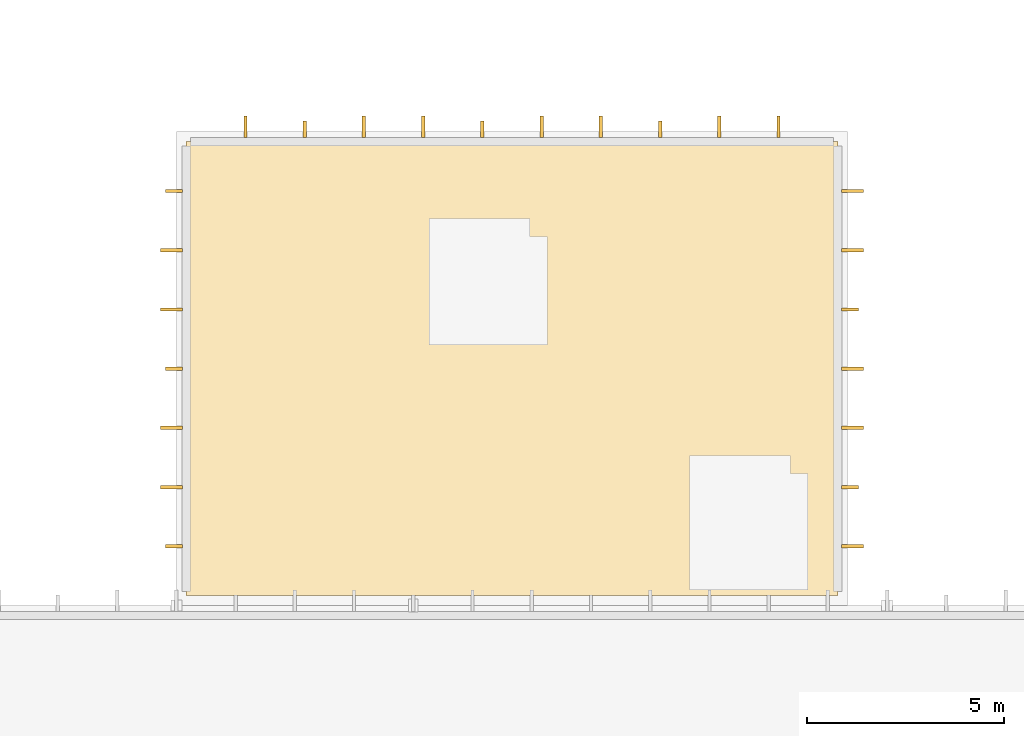
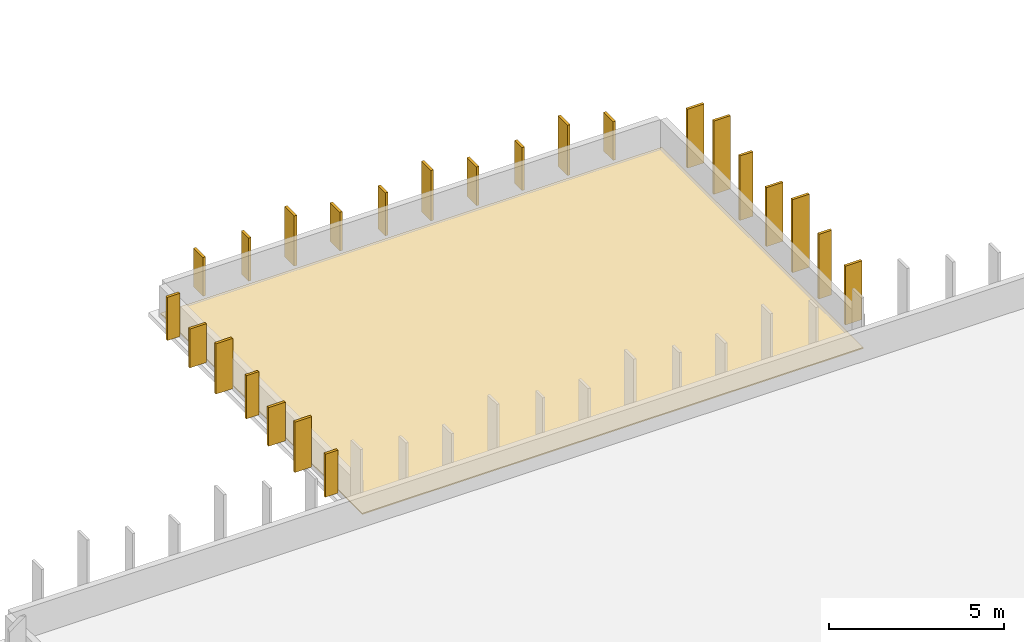
# One storey, part 24 of 27: 25 coverings.
"""IFC4 building model written with IfcOpenShell, lengths in metres."""

from ifc_helpers import new_model, si_unit, direction, frame, origin, origin_2d, place, context, subcontext, project, spatial, polyline, rectangle, outline, extrude, material, layer, layer_set, type_object, element, save


model = new_model("IFC4")

# Units and contexts
model_context = context("Model", 3, precision=1e-05, world=origin(), true_north=direction((0.0, 1.0)))
body_context = subcontext(model_context, "Body", "Model", "MODEL_VIEW")
ifc_project = project(units=[si_unit("LENGTHUNIT", "METRE"), si_unit("AREAUNIT", "SQUARE_METRE"), si_unit("VOLUMEUNIT", "CUBIC_METRE"), si_unit("PLANEANGLEUNIT", "RADIAN"), si_unit("MASSUNIT", "GRAM", prefix="KILO")], contexts=[model_context])

# Site, building, storey
site_placement = place(None, origin())
site = spatial("IfcSite", under=ifc_project, at=site_placement, CompositionType="ELEMENT")
building_placement = place(site_placement, origin())
building = spatial("IfcBuilding", under=site, at=building_placement, Name="Varnakota Square Police Headquarters", CompositionType="ELEMENT")
storey_placement = place(building_placement, frame((0.0, 0.0, 26.10009765625)))
storey = spatial("IfcBuildingStorey", under=building, at=storey_placement, Name="L06", CompositionType="ELEMENT", Elevation=26.10009765625)

# Coverings
ifc_material_1 = material(Name="White Anodised Aluminium Vertical Facade Blade 420", Category="aluminium")
ifc_layer_1 = layer(ifc_material_1, 0.0849609375, Name="White Anodised Aluminium Vertical Facade Blade 420")
ifc_layer_set_1 = layer_set([ifc_layer_1], Name="White Anodised Aluminium Vertical Facade Blade 420")
covering_type_1 = type_object("IfcCoveringType", Name="COV-FIN-420", PredefinedType="CLADDING", material=ifc_layer_set_1)
for number, where, z_axis, x_axis, name in (
    (1, (35.06005859375, 66.0, 0.0498046875), (0.0, 0.0, 1.0), (0.0, 1.0, 0.0), "Vertical aluminium facade fin FIN-1542"),
    (2, (35.06005859375, 70.5, 0.0498046875), (0.0, 0.0, 1.0), (0.0, 1.0, 0.0), "Vertical aluminium facade fin FIN-1545"),
):
    element("IfcCovering", number, at=place(storey_placement, frame(where, z_axis=z_axis, x_axis=x_axis)), inside=storey, type_object=covering_type_1, Name=name, PredefinedType="CLADDING", context=body_context, shape_type="SweptSolid", body=[
        extrude(rectangle(XDim=0.0849609375, YDim=0.419921875, at=origin_2d()), origin(), (0.0, 0.0, 1.0), 2.25),
    ])
for number, where, z_axis, x_axis, name in (
    (3, (30.25, 75.06005859375, 0.0498046875), (0.0, 0.0, 1.0), (-1.0, 0.0, 0.0), "Vertical aluminium facade fin FIN-1550"),
    (4, (25.75, 75.06005859375, 0.0498046875), (0.0, 0.0, 1.0), (-1.0, 0.0, 0.0), "Vertical aluminium facade fin FIN-1553"),
    (5, (21.25, 75.06005859375, 0.0498046875), (0.0, 0.0, 1.0), (-1.0, 0.0, 0.0), "Vertical aluminium facade fin FIN-1556"),
    (6, (17.93994140625, 73.5, 0.0498046875), (0.0, 0.0, 1.0), (0.0, -1.0, 0.0), "Vertical aluminium facade fin FIN-1558"),
    (7, (17.93994140625, 69.0, 0.0498046875), (0.0, 0.0, 1.0), (0.0, -1.0, 0.0), "Vertical aluminium facade fin FIN-1561"),
    (8, (17.93994140625, 64.5, 0.0498046875), (0.0, 0.0, 1.0), (0.0, -1.0, 0.0), "Vertical aluminium facade fin FIN-1564"),
):
    element("IfcCovering", number, at=place(storey_placement, frame(where, z_axis=z_axis, x_axis=x_axis)), inside=storey, type_object=covering_type_1, Name=name, PredefinedType="CLADDING", context=body_context, shape_type="SweptSolid", body=[
        extrude(rectangle(XDim=0.0849609375, YDim=0.419921875, at=origin_2d()), origin(), (0.0, 0.0, 1.0), 1.5),
    ])
ifc_material_2 = material(Name="White Anodised Aluminium Vertical Facade Blade 550", Category="aluminium")
ifc_layer_2 = layer(ifc_material_2, 0.0849609375, Name="White Anodised Aluminium Vertical Facade Blade 550")
ifc_layer_set_2 = layer_set([ifc_layer_2], Name="White Anodised Aluminium Vertical Facade Blade 550")
covering_type_2 = type_object("IfcCoveringType", Name="COV-FIN-550", PredefinedType="CLADDING", material=ifc_layer_set_2)
covering_1_placement = place(storey_placement, frame((35.125, 64.5, 0.0498046875), z_axis=(0.0, 0.0, 1.0), x_axis=(0.0, 1.0, 0.0)))
element("IfcCovering", 9, at=covering_1_placement, inside=storey, type_object=covering_type_2, Name="Vertical aluminium facade fin FIN-1541", PredefinedType="CLADDING", context=body_context, shape_type="SweptSolid", body=[
    extrude(rectangle(XDim=0.0849609375, YDim=0.550048828125, at=origin_2d()), origin(), (0.0, 0.0, 1.0), 2.050048828125),
])
covering_2_placement = place(storey_placement, frame((35.125, 67.5, 0.0498046875), z_axis=(0.0, 0.0, 1.0), x_axis=(0.0, 1.0, 0.0)))
element("IfcCovering", 10, at=covering_2_placement, inside=storey, type_object=covering_type_2, Name="Vertical aluminium facade fin FIN-1543", PredefinedType="CLADDING", context=body_context, shape_type="SweptSolid", body=[
    extrude(rectangle(XDim=0.0849609375, YDim=0.550048828125, at=origin_2d()), origin(), (0.0, 0.0, 1.0), 2.550048828125),
])
covering_3_placement = place(storey_placement, frame((35.125, 69.0, 0.0498046875), z_axis=(0.0, 0.0, 1.0), x_axis=(0.0, 1.0, 0.0)))
element("IfcCovering", 11, at=covering_3_placement, inside=storey, type_object=covering_type_2, Name="Vertical aluminium facade fin FIN-1544", PredefinedType="CLADDING", context=body_context, shape_type="SweptSolid", body=[
    extrude(rectangle(XDim=0.0849609375, YDim=0.550048828125, at=origin_2d()), origin(), (0.0, 0.0, 1.0), 2.050048828125),
])
covering_4_placement = place(storey_placement, frame((35.125, 72.0, 0.0498046875), z_axis=(0.0, 0.0, 1.0), x_axis=(0.0, 1.0, 0.0)))
element("IfcCovering", 12, at=covering_4_placement, inside=storey, type_object=covering_type_2, Name="Vertical aluminium facade fin FIN-1546", PredefinedType="CLADDING", context=body_context, shape_type="SweptSolid", body=[
    extrude(rectangle(XDim=0.0849609375, YDim=0.550048828125, at=origin_2d()), origin(), (0.0, 0.0, 1.0), 2.550048828125),
])
covering_5_placement = place(storey_placement, frame((35.125, 73.5, 0.0498046875), z_axis=(0.0, 0.0, 1.0), x_axis=(0.0, 1.0, 0.0)))
element("IfcCovering", 13, at=covering_5_placement, inside=storey, type_object=covering_type_2, Name="Vertical aluminium facade fin FIN-1547", PredefinedType="CLADDING", context=body_context, shape_type="SweptSolid", body=[
    extrude(rectangle(XDim=0.0849609375, YDim=0.550048828125, at=origin_2d()), origin(), (0.0, 0.0, 1.0), 2.050048828125),
])
covering_6_placement = place(storey_placement, frame((33.25, 75.125, 0.0498046875), z_axis=(0.0, 0.0, 1.0), x_axis=(-1.0, 0.0, 0.0)))
element("IfcCovering", 14, at=covering_6_placement, inside=storey, type_object=covering_type_2, Name="Vertical aluminium facade fin FIN-1548", PredefinedType="CLADDING", context=body_context, shape_type="SweptSolid", body=[
    extrude(rectangle(XDim=0.0849609375, YDim=0.550048828125, at=origin_2d()), origin(), (0.0, 0.0, 1.0), 1.35009765625),
])
covering_7_placement = place(storey_placement, frame((31.75, 75.125, 0.0498046875), z_axis=(0.0, 0.0, 1.0), x_axis=(-1.0, 0.0, 0.0)))
element("IfcCovering", 15, at=covering_7_placement, inside=storey, type_object=covering_type_2, Name="Vertical aluminium facade fin FIN-1549", PredefinedType="CLADDING", context=body_context, shape_type="SweptSolid", body=[
    extrude(rectangle(XDim=0.0849609375, YDim=0.550048828125, at=origin_2d()), origin(), (0.0, 0.0, 1.0), 1.75),
])
covering_8_placement = place(storey_placement, frame((28.75, 75.125, 0.0498046875), z_axis=(0.0, 0.0, 1.0), x_axis=(-1.0, 0.0, 0.0)))
element("IfcCovering", 16, at=covering_8_placement, inside=storey, type_object=covering_type_2, Name="Vertical aluminium facade fin FIN-1551", PredefinedType="CLADDING", context=body_context, shape_type="SweptSolid", body=[
    extrude(rectangle(XDim=0.0849609375, YDim=0.550048828125, at=origin_2d()), origin(), (0.0, 0.0, 1.0), 1.35009765625),
])
covering_9_placement = place(storey_placement, frame((27.25, 75.125, 0.0498046875), z_axis=(0.0, 0.0, 1.0), x_axis=(-1.0, 0.0, 0.0)))
element("IfcCovering", 17, at=covering_9_placement, inside=storey, type_object=covering_type_2, Name="Vertical aluminium facade fin FIN-1552", PredefinedType="CLADDING", context=body_context, shape_type="SweptSolid", body=[
    extrude(rectangle(XDim=0.0849609375, YDim=0.550048828125, at=origin_2d()), origin(), (0.0, 0.0, 1.0), 1.75),
])
covering_10_placement = place(storey_placement, frame((24.25, 75.125, 0.0498046875), z_axis=(0.0, 0.0, 1.0), x_axis=(-1.0, 0.0, 0.0)))
element("IfcCovering", 18, at=covering_10_placement, inside=storey, type_object=covering_type_2, Name="Vertical aluminium facade fin FIN-1554", PredefinedType="CLADDING", context=body_context, shape_type="SweptSolid", body=[
    extrude(rectangle(XDim=0.0849609375, YDim=0.550048828125, at=origin_2d()), origin(), (0.0, 0.0, 1.0), 1.35009765625),
])
covering_11_placement = place(storey_placement, frame((22.75, 75.125, 0.0498046875), z_axis=(0.0, 0.0, 1.0), x_axis=(-1.0, 0.0, 0.0)))
element("IfcCovering", 19, at=covering_11_placement, inside=storey, type_object=covering_type_2, Name="Vertical aluminium facade fin FIN-1555", PredefinedType="CLADDING", context=body_context, shape_type="SweptSolid", body=[
    extrude(rectangle(XDim=0.0849609375, YDim=0.550048828125, at=origin_2d()), origin(), (0.0, 0.0, 1.0), 1.75),
])
for number, where, z_axis, x_axis, name in (
    (20, (19.75, 75.125, 0.0498046875), (0.0, 0.0, 1.0), (-1.0, 0.0, 0.0), "Vertical aluminium facade fin FIN-1557"),
    (21, (17.875, 72.0, 0.0498046875), (0.0, 0.0, 1.0), (0.0, -1.0, 0.0), "Vertical aluminium facade fin FIN-1559"),
):
    element("IfcCovering", number, at=place(storey_placement, frame(where, z_axis=z_axis, x_axis=x_axis)), inside=storey, type_object=covering_type_2, Name=name, PredefinedType="CLADDING", context=body_context, shape_type="SweptSolid", body=[
        extrude(rectangle(XDim=0.0849609375, YDim=0.550048828125, at=origin_2d()), origin(), (0.0, 0.0, 1.0), 1.35009765625),
    ])
covering_12_placement = place(storey_placement, frame((17.875, 70.5, 0.0498046875), z_axis=(0.0, 0.0, 1.0), x_axis=(0.0, -1.0, 0.0)))
element("IfcCovering", 22, at=covering_12_placement, inside=storey, type_object=covering_type_2, Name="Vertical aluminium facade fin FIN-1560", PredefinedType="CLADDING", context=body_context, shape_type="SweptSolid", body=[
    extrude(rectangle(XDim=0.0849609375, YDim=0.550048828125, at=origin_2d()), origin(), (0.0, 0.0, 1.0), 1.75),
])
covering_13_placement = place(storey_placement, frame((17.875, 67.5, 0.0498046875), z_axis=(0.0, 0.0, 1.0), x_axis=(0.0, -1.0, 0.0)))
element("IfcCovering", 23, at=covering_13_placement, inside=storey, type_object=covering_type_2, Name="Vertical aluminium facade fin FIN-1562", PredefinedType="CLADDING", context=body_context, shape_type="SweptSolid", body=[
    extrude(rectangle(XDim=0.0849609375, YDim=0.550048828125, at=origin_2d()), origin(), (0.0, 0.0, 1.0), 1.35009765625),
])
covering_14_placement = place(storey_placement, frame((17.875, 66.0, 0.0498046875), z_axis=(0.0, 0.0, 1.0), x_axis=(0.0, -1.0, 0.0)))
element("IfcCovering", 24, at=covering_14_placement, inside=storey, type_object=covering_type_2, Name="Vertical aluminium facade fin FIN-1563", PredefinedType="CLADDING", context=body_context, shape_type="SweptSolid", body=[
    extrude(rectangle(XDim=0.0849609375, YDim=0.550048828125, at=origin_2d()), origin(), (0.0, 0.0, 1.0), 1.75),
])
ifc_material_3 = material(Name="High-Albedo White TPO Waterproofing Membrane")
ifc_layer_3 = layer(ifc_material_3, 0.0400390625, Name="High-Albedo White TPO Waterproofing Membrane")
ifc_layer_set_3 = layer_set([ifc_layer_3], Name="High-Albedo White TPO Waterproofing Membrane")
covering_type_3 = type_object("IfcCoveringType", Name="COV-RF-MEM", PredefinedType="ROOFING", material=ifc_layer_set_3)
covering_15_placement = place(storey_placement, origin())
element("IfcCovering", 25, at=covering_15_placement, inside=storey, type_object=covering_type_3, Name="Roof waterproofing membrane RF-L06-C5", PredefinedType="ROOFING", context=body_context, shape_type="SweptSolid", body=[
    extrude(outline(polyline([(18.25, 63.25), (34.75, 63.25), (34.75, 74.75), (18.25, 74.75), (18.25, 63.25)])), origin(), (0.0, 0.0, 1.0), 0.039794921875),
])

save(model, "model.ifc")
